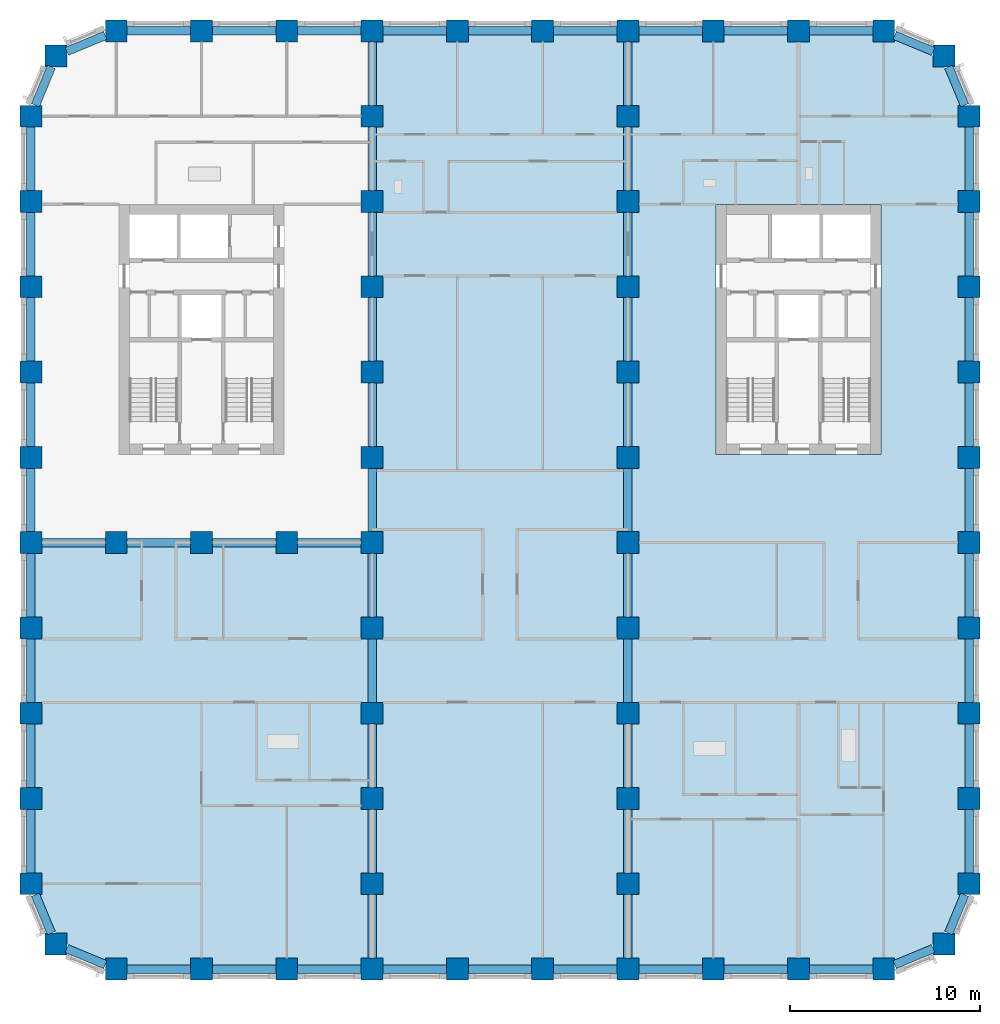
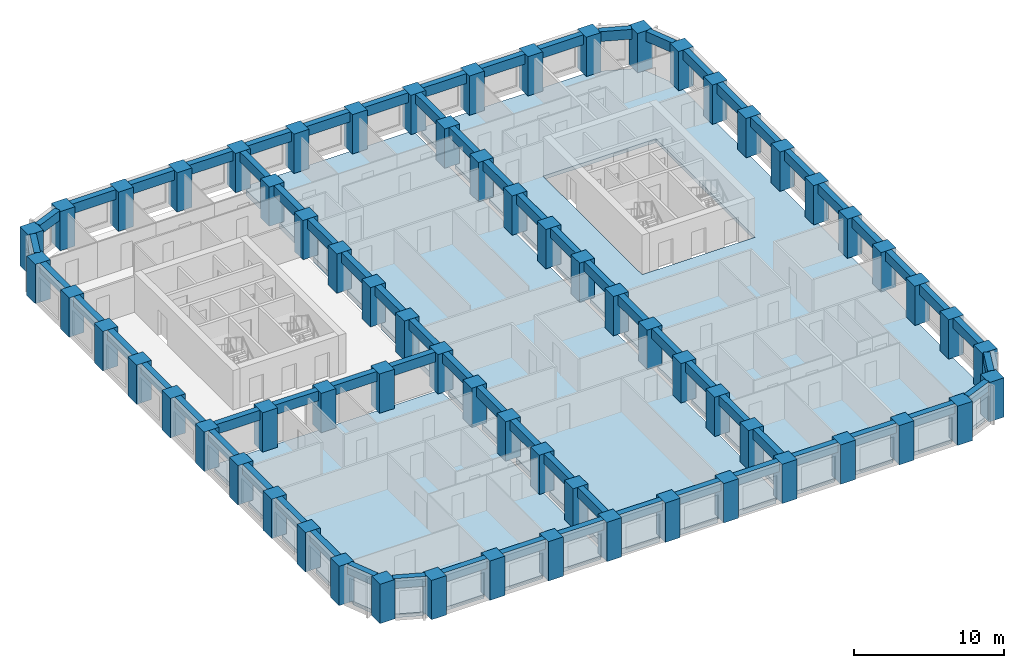
# One storey, part 1 of 13: 70 beams, 67 columns, 3 slabs.
"""IFC4 building model written with IfcOpenShell, lengths in metres."""

from ifc_helpers import new_model, si_unit, direction, frame, origin, origin_2d, place, context, subcontext, project, spatial, polyline, rectangle, outline, extrude, material, layer, layer_set, material_profile, profile_set, type_object, element, save


model = new_model("IFC4")

# Units and contexts
model_context = context("Model", 3, precision=1e-05, world=origin(), true_north=direction((0.0, 1.0)))
body_context = subcontext(model_context, "Body", "Model", "MODEL_VIEW")
ifc_project = project(units=[si_unit("LENGTHUNIT", "METRE"), si_unit("AREAUNIT", "SQUARE_METRE"), si_unit("VOLUMEUNIT", "CUBIC_METRE"), si_unit("PLANEANGLEUNIT", "RADIAN"), si_unit("MASSUNIT", "GRAM", prefix="KILO")], contexts=[model_context])

# Site, building, storey
site_placement = place(None, origin())
site = spatial("IfcSite", under=ifc_project, at=site_placement, CompositionType="ELEMENT")
building_placement = place(site_placement, origin())
building = spatial("IfcBuilding", under=site, at=building_placement, Name="Girih Gate Residences", CompositionType="ELEMENT")
storey_placement = place(building_placement, frame((0.0, 0.0, 96.0)))
storey = spatial("IfcBuildingStorey", under=building, at=storey_placement, Name="L26", CompositionType="ELEMENT", Elevation=96.0)

# Columns
ifc_material_1 = material(Name="Concrete C80/95", Category="concrete")
ifc_material_profile_1 = material_profile(ifc_material_1, rectangle(XDim=1.14990234375, YDim=1.14990234375, at=origin_2d()))
ifc_profile_set_1 = profile_set([ifc_material_profile_1], Name="Concrete C80/95")
column_type = type_object("IfcColumnType", Name="Pier RC 1150x1150 Concrete C80/95", PredefinedType="COLUMN", material=ifc_profile_set_1)
for number, where, z_axis, x_axis, name in (
    (1, (4.5, 0.0, 0.0), (0.0, 0.0, 1.0), (1.0, 0.0, 0.0), "Pier P2A L26"),
    (2, (9.0, 0.0, 0.0), (0.0, 0.0, 1.0), (1.0, 0.0, 0.0), "Pier P3A L26"),
    (3, (13.5, 0.0, 0.0), (0.0, 0.0, 1.0), (1.0, 0.0, 0.0), "Pier P4A L26"),
    (4, (18.0, 0.0, 0.0), (0.0, 0.0, 1.0), (1.0, 0.0, 0.0), "Pier P5A L26"),
    (5, (22.5, 0.0, 0.0), (0.0, 0.0, 1.0), (1.0, 0.0, 0.0), "Pier P6A L26"),
    (6, (27.0, 0.0, 0.0), (0.0, 0.0, 1.0), (1.0, 0.0, 0.0), "Pier P7A L26"),
    (7, (31.5, 0.0, 0.0), (0.0, 0.0, 1.0), (1.0, 0.0, 0.0), "Pier P8A L26"),
    (8, (36.0, 0.0, 0.0), (0.0, 0.0, 1.0), (1.0, 0.0, 0.0), "Pier P9A L26"),
    (9, (40.5, 0.0, 0.0), (0.0, 0.0, 1.0), (1.0, 0.0, 0.0), "Pier P10A L26"),
    (10, (45.0, 0.0, 0.0), (0.0, 0.0, 1.0), (1.0, 0.0, 0.0), "Pier P11A L26"),
    (11, (1.318115234375, 1.318115234375, 0.0), (0.0, 0.0, 1.0), (1.0, 0.0, 0.0), "Pier P1ANE L26"),
    (12, (48.181884765625, 1.318115234375, 0.0), (0.0, 0.0, 1.0), (1.0, 0.0, 0.0), "Pier P12ANW L26"),
    (13, (0.0, 4.5, 0.0), (0.0, 0.0, 1.0), (1.0, 0.0, 0.0), "Pier P1B L26"),
    (14, (18.0, 4.5, 0.0), (0.0, 0.0, 1.0), (1.0, 0.0, 0.0), "Pier P5B L26"),
    (15, (31.5, 4.5, 0.0), (0.0, 0.0, 1.0), (1.0, 0.0, 0.0), "Pier P8B L26"),
    (16, (49.5, 4.5, 0.0), (0.0, 0.0, 1.0), (1.0, 0.0, 0.0), "Pier P12B L26"),
    (17, (0.0, 9.0, 0.0), (0.0, 0.0, 1.0), (1.0, 0.0, 0.0), "Pier P1C L26"),
    (18, (18.0, 9.0, 0.0), (0.0, 0.0, 1.0), (1.0, 0.0, 0.0), "Pier P5C L26"),
    (19, (31.5, 9.0, 0.0), (0.0, 0.0, 1.0), (1.0, 0.0, 0.0), "Pier P8C L26"),
    (20, (49.5, 9.0, 0.0), (0.0, 0.0, 1.0), (1.0, 0.0, 0.0), "Pier P12C L26"),
    (21, (0.0, 13.5, 0.0), (0.0, 0.0, 1.0), (1.0, 0.0, 0.0), "Pier P1D L26"),
    (22, (18.0, 13.5, 0.0), (0.0, 0.0, 1.0), (1.0, 0.0, 0.0), "Pier P5D L26"),
    (23, (31.5, 13.5, 0.0), (0.0, 0.0, 1.0), (1.0, 0.0, 0.0), "Pier P8D L26"),
    (24, (49.5, 13.5, 0.0), (0.0, 0.0, 1.0), (1.0, 0.0, 0.0), "Pier P12D L26"),
    (25, (0.0, 18.0, 0.0), (0.0, 0.0, 1.0), (1.0, 0.0, 0.0), "Pier P1E L26"),
    (26, (18.0, 18.0, 0.0), (0.0, 0.0, 1.0), (1.0, 0.0, 0.0), "Pier P5E L26"),
    (27, (31.5, 18.0, 0.0), (0.0, 0.0, 1.0), (1.0, 0.0, 0.0), "Pier P8E L26"),
    (28, (49.5, 18.0, 0.0), (0.0, 0.0, 1.0), (1.0, 0.0, 0.0), "Pier P12E L26"),
    (29, (0.0, 22.5, 0.0), (0.0, 0.0, 1.0), (1.0, 0.0, 0.0), "Pier P1F L26"),
    (30, (4.5, 22.5, 0.0), (0.0, 0.0, 1.0), (1.0, 0.0, 0.0), "Pier P2F L26"),
    (31, (9.0, 22.5, 0.0), (0.0, 0.0, 1.0), (1.0, 0.0, 0.0), "Pier P3F L26"),
    (32, (13.5, 22.5, 0.0), (0.0, 0.0, 1.0), (1.0, 0.0, 0.0), "Pier P4F L26"),
    (33, (18.0, 22.5, 0.0), (0.0, 0.0, 1.0), (1.0, 0.0, 0.0), "Pier P5F L26"),
    (34, (31.5, 22.5, 0.0), (0.0, 0.0, 1.0), (1.0, 0.0, 0.0), "Pier P8F L26"),
    (35, (49.5, 22.5, 0.0), (0.0, 0.0, 1.0), (1.0, 0.0, 0.0), "Pier P12F L26"),
    (36, (0.0, 27.0, 0.0), (0.0, 0.0, 1.0), (1.0, 0.0, 0.0), "Pier P1G L26"),
    (37, (18.0, 27.0, 0.0), (0.0, 0.0, 1.0), (1.0, 0.0, 0.0), "Pier P5G L26"),
    (38, (31.5, 27.0, 0.0), (0.0, 0.0, 1.0), (1.0, 0.0, 0.0), "Pier P8G L26"),
    (39, (49.5, 27.0, 0.0), (0.0, 0.0, 1.0), (1.0, 0.0, 0.0), "Pier P12G L26"),
    (40, (0.0, 31.5, 0.0), (0.0, 0.0, 1.0), (1.0, 0.0, 0.0), "Pier P1H L26"),
    (41, (18.0, 31.5, 0.0), (0.0, 0.0, 1.0), (1.0, 0.0, 0.0), "Pier P5H L26"),
    (42, (31.5, 31.5, 0.0), (0.0, 0.0, 1.0), (1.0, 0.0, 0.0), "Pier P8H L26"),
    (43, (49.5, 31.5, 0.0), (0.0, 0.0, 1.0), (1.0, 0.0, 0.0), "Pier P12H L26"),
    (44, (0.0, 36.0, 0.0), (0.0, 0.0, 1.0), (1.0, 0.0, 0.0), "Pier P1I L26"),
    (45, (18.0, 36.0, 0.0), (0.0, 0.0, 1.0), (1.0, 0.0, 0.0), "Pier P5I L26"),
    (46, (31.5, 36.0, 0.0), (0.0, 0.0, 1.0), (1.0, 0.0, 0.0), "Pier P8I L26"),
    (47, (49.5, 36.0, 0.0), (0.0, 0.0, 1.0), (1.0, 0.0, 0.0), "Pier P12I L26"),
    (48, (0.0, 40.5, 0.0), (0.0, 0.0, 1.0), (1.0, 0.0, 0.0), "Pier P1J L26"),
    (49, (18.0, 40.5, 0.0), (0.0, 0.0, 1.0), (1.0, 0.0, 0.0), "Pier P5J L26"),
    (50, (31.5, 40.5, 0.0), (0.0, 0.0, 1.0), (1.0, 0.0, 0.0), "Pier P8J L26"),
    (51, (49.5, 40.5, 0.0), (0.0, 0.0, 1.0), (1.0, 0.0, 0.0), "Pier P12J L26"),
    (52, (0.0, 45.0, 0.0), (0.0, 0.0, 1.0), (1.0, 0.0, 0.0), "Pier P1K L26"),
    (53, (18.0, 45.0, 0.0), (0.0, 0.0, 1.0), (1.0, 0.0, 0.0), "Pier P5K L26"),
    (54, (31.5, 45.0, 0.0), (0.0, 0.0, 1.0), (1.0, 0.0, 0.0), "Pier P8K L26"),
    (55, (49.5, 45.0, 0.0), (0.0, 0.0, 1.0), (1.0, 0.0, 0.0), "Pier P12K L26"),
    (56, (1.318115234375, 48.181884765625, 0.0), (0.0, 0.0, 1.0), (1.0, 0.0, 0.0), "Pier P1LSE L26"),
    (57, (48.181884765625, 48.181884765625, 0.0), (0.0, 0.0, 1.0), (1.0, 0.0, 0.0), "Pier P12LSW L26"),
    (58, (4.5, 49.5, 0.0), (0.0, 0.0, 1.0), (1.0, 0.0, 0.0), "Pier P2L L26"),
    (59, (9.0, 49.5, 0.0), (0.0, 0.0, 1.0), (1.0, 0.0, 0.0), "Pier P3L L26"),
    (60, (13.5, 49.5, 0.0), (0.0, 0.0, 1.0), (1.0, 0.0, 0.0), "Pier P4L L26"),
    (61, (18.0, 49.5, 0.0), (0.0, 0.0, 1.0), (1.0, 0.0, 0.0), "Pier P5L L26"),
    (62, (22.5, 49.5, 0.0), (0.0, 0.0, 1.0), (1.0, 0.0, 0.0), "Pier P6L L26"),
    (63, (27.0, 49.5, 0.0), (0.0, 0.0, 1.0), (1.0, 0.0, 0.0), "Pier P7L L26"),
    (64, (31.5, 49.5, 0.0), (0.0, 0.0, 1.0), (1.0, 0.0, 0.0), "Pier P8L L26"),
    (65, (36.0, 49.5, 0.0), (0.0, 0.0, 1.0), (1.0, 0.0, 0.0), "Pier P9L L26"),
    (66, (40.5, 49.5, 0.0), (0.0, 0.0, 1.0), (1.0, 0.0, 0.0), "Pier P10L L26"),
    (67, (45.0, 49.5, 0.0), (0.0, 0.0, 1.0), (1.0, 0.0, 0.0), "Pier P11L L26"),
):
    element("IfcColumn", number, at=place(storey_placement, frame(where, z_axis=z_axis, x_axis=x_axis)), inside=storey, type_object=column_type, Name=name, PredefinedType="COLUMN", context=body_context, shape_type="SweptSolid", body=[
        extrude(rectangle(XDim=1.14990234375, YDim=1.14990234375, at=origin_2d()), origin(), (0.0, 0.0, 1.0), 3.199951171875),
    ])

# Beams
ifc_material_2 = material(Name="Concrete C60/75", Category="concrete")
ifc_material_profile_2 = material_profile(ifc_material_2, rectangle(XDim=0.449951171875, YDim=0.800048828125, at=origin_2d()))
ifc_profile_set_2 = profile_set([ifc_material_profile_2], Name="Concrete C60/75")
beam_type = type_object("IfcBeamType", Name="Spandrel girder RC 450x800 Concrete C60/75", PredefinedType="BEAM", material=ifc_profile_set_2)
for number, where, z_axis, x_axis, name in (
    (68, (0.23828125, 3.925048828125, 2.800048828125), (0.382636106589, -0.92389913407, 0.0), (0.92389913407, 0.382636106589, 0.0), "Spandrel girder SP-P1B-P1ANE L26"),
    (69, (1.89306640625, 1.079833984375, 2.800048828125), (0.92389913407, -0.382636106589, 0.0), (0.382636106589, 0.92389913407, 0.0), "Spandrel girder SP-P1ANE-P2A L26"),
):
    element("IfcBeam", number, at=place(storey_placement, frame(where, z_axis=z_axis, x_axis=x_axis)), inside=storey, type_object=beam_type, Name=name, PredefinedType="BEAM", context=body_context, shape_type="SweptSolid", body=[
        extrude(rectangle(XDim=0.449951171875, YDim=0.800048828125, at=origin_2d()), origin(), (0.0, 0.0, 1.0), 2.199462890625),
    ])
for number, where, z_axis, x_axis, name in (
    (70, (5.074951171875, 0.0, 2.800048828125), (1.0, 0.0, 0.0), (0.0, 1.0, 0.0), "Spandrel girder SP-P2A-P3A L26"),
    (71, (9.574951171875, 0.0, 2.800048828125), (1.0, 0.0, 0.0), (0.0, 1.0, 0.0), "Spandrel girder SP-P3A-P4A L26"),
    (72, (14.074951171875, 0.0, 2.800048828125), (1.0, 0.0, 0.0), (0.0, 1.0, 0.0), "Spandrel girder SP-P4A-P5A L26"),
    (73, (18.574951171875, 0.0, 2.800048828125), (1.0, 0.0, 0.0), (0.0, 1.0, 0.0), "Spandrel girder SP-P5A-P6A L26"),
    (74, (23.074951171875, 0.0, 2.800048828125), (1.0, 0.0, 0.0), (0.0, 1.0, 0.0), "Spandrel girder SP-P6A-P7A L26"),
    (75, (27.574951171875, 0.0, 2.800048828125), (1.0, 0.0, 0.0), (0.0, 1.0, 0.0), "Spandrel girder SP-P7A-P8A L26"),
    (76, (32.074951171875, 0.0, 2.800048828125), (1.0, 0.0, 0.0), (0.0, 1.0, 0.0), "Spandrel girder SP-P8A-P9A L26"),
    (77, (36.574951171875, 0.0, 2.800048828125), (1.0, 0.0, 0.0), (0.0, 1.0, 0.0), "Spandrel girder SP-P9A-P10A L26"),
    (78, (41.074951171875, 0.0, 2.800048828125), (1.0, 0.0, 0.0), (0.0, 1.0, 0.0), "Spandrel girder SP-P10A-P11A L26"),
):
    element("IfcBeam", number, at=place(storey_placement, frame(where, z_axis=z_axis, x_axis=x_axis)), inside=storey, type_object=beam_type, Name=name, PredefinedType="BEAM", context=body_context, shape_type="SweptSolid", body=[
        extrude(rectangle(XDim=0.449951171875, YDim=0.800048828125, at=origin_2d()), origin(), (0.0, 0.0, 1.0), 3.35009765625),
    ])
for number, where, z_axis, x_axis, name in (
    (79, (45.574951171875, 0.23828125, 2.800048828125), (0.92389913407, 0.382636106589, 0.0), (-0.382636106589, 0.92389913407, 0.0), "Spandrel girder SP-P11A-P12ANW L26"),
    (80, (48.420166015625, 1.89306640625, 2.800048828125), (0.382636106589, 0.92389913407, 0.0), (-0.92389913407, 0.382636106589, 0.0), "Spandrel girder SP-P12ANW-P12B L26"),
):
    element("IfcBeam", number, at=place(storey_placement, frame(where, z_axis=z_axis, x_axis=x_axis)), inside=storey, type_object=beam_type, Name=name, PredefinedType="BEAM", context=body_context, shape_type="SweptSolid", body=[
        extrude(rectangle(XDim=0.449951171875, YDim=0.800048828125, at=origin_2d()), origin(), (0.0, 0.0, 1.0), 2.199462890625),
    ])
for number, where, z_axis, x_axis, name in (
    (81, (49.5, 5.074951171875, 2.800048828125), (0.0, 1.0, 0.0), (-1.0, 0.0, 0.0), "Spandrel girder SP-P12B-P12C L26"),
    (82, (49.5, 9.574951171875, 2.800048828125), (0.0, 1.0, 0.0), (-1.0, 0.0, 0.0), "Spandrel girder SP-P12C-P12D L26"),
    (83, (49.5, 14.074951171875, 2.800048828125), (0.0, 1.0, 0.0), (-1.0, 0.0, 0.0), "Spandrel girder SP-P12D-P12E L26"),
    (84, (49.5, 18.574951171875, 2.800048828125), (0.0, 1.0, 0.0), (-1.0, 0.0, 0.0), "Spandrel girder SP-P12E-P12F L26"),
    (85, (49.5, 23.074951171875, 2.800048828125), (0.0, 1.0, 0.0), (-1.0, 0.0, 0.0), "Spandrel girder SP-P12F-P12G L26"),
    (86, (49.5, 27.574951171875, 2.800048828125), (0.0, 1.0, 0.0), (-1.0, 0.0, 0.0), "Spandrel girder SP-P12G-P12H L26"),
    (87, (49.5, 32.074951171875, 2.800048828125), (0.0, 1.0, 0.0), (-1.0, 0.0, 0.0), "Spandrel girder SP-P12H-P12I L26"),
    (88, (49.5, 36.574951171875, 2.800048828125), (0.0, 1.0, 0.0), (-1.0, 0.0, 0.0), "Spandrel girder SP-P12I-P12J L26"),
    (89, (49.5, 41.074951171875, 2.800048828125), (0.0, 1.0, 0.0), (-1.0, 0.0, 0.0), "Spandrel girder SP-P12J-P12K L26"),
):
    element("IfcBeam", number, at=place(storey_placement, frame(where, z_axis=z_axis, x_axis=x_axis)), inside=storey, type_object=beam_type, Name=name, PredefinedType="BEAM", context=body_context, shape_type="SweptSolid", body=[
        extrude(rectangle(XDim=0.449951171875, YDim=0.800048828125, at=origin_2d()), origin(), (0.0, 0.0, 1.0), 3.35009765625),
    ])
for number, where, z_axis, x_axis, name in (
    (90, (49.26171875, 45.574951171875, 2.800048828125), (-0.382636106589, 0.92389913407, 0.0), (-0.92389913407, -0.382636106589, 0.0), "Spandrel girder SP-P12K-P12LSW L26"),
    (91, (47.60693359375, 48.420166015625, 2.800048828125), (-0.92389913407, 0.382636106589, 0.0), (-0.382636106589, -0.92389913407, 0.0), "Spandrel girder SP-P12LSW-P11L L26"),
):
    element("IfcBeam", number, at=place(storey_placement, frame(where, z_axis=z_axis, x_axis=x_axis)), inside=storey, type_object=beam_type, Name=name, PredefinedType="BEAM", context=body_context, shape_type="SweptSolid", body=[
        extrude(rectangle(XDim=0.449951171875, YDim=0.800048828125, at=origin_2d()), origin(), (0.0, 0.0, 1.0), 2.199462890625),
    ])
for number, where, z_axis, x_axis, name in (
    (92, (44.425048828125, 49.5, 2.800048828125), (-1.0, 0.0, 0.0), (0.0, -1.0, 0.0), "Spandrel girder SP-P11L-P10L L26"),
    (93, (39.925048828125, 49.5, 2.800048828125), (-1.0, 0.0, 0.0), (0.0, -1.0, 0.0), "Spandrel girder SP-P10L-P9L L26"),
    (94, (35.425048828125, 49.5, 2.800048828125), (-1.0, 0.0, 0.0), (0.0, -1.0, 0.0), "Spandrel girder SP-P9L-P8L L26"),
    (95, (30.925048828125, 49.5, 2.800048828125), (-1.0, 0.0, 0.0), (0.0, -1.0, 0.0), "Spandrel girder SP-P8L-P7L L26"),
    (96, (26.425048828125, 49.5, 2.800048828125), (-1.0, 0.0, 0.0), (0.0, -1.0, 0.0), "Spandrel girder SP-P7L-P6L L26"),
    (97, (21.925048828125, 49.5, 2.800048828125), (-1.0, 0.0, 0.0), (0.0, -1.0, 0.0), "Spandrel girder SP-P6L-P5L L26"),
    (98, (17.425048828125, 49.5, 2.800048828125), (-1.0, 0.0, 0.0), (0.0, -1.0, 0.0), "Spandrel girder SP-P5L-P4L L26"),
    (99, (12.925048828125, 49.5, 2.800048828125), (-1.0, 0.0, 0.0), (0.0, -1.0, 0.0), "Spandrel girder SP-P4L-P3L L26"),
    (100, (8.425048828125, 49.5, 2.800048828125), (-1.0, 0.0, 0.0), (0.0, -1.0, 0.0), "Spandrel girder SP-P3L-P2L L26"),
):
    element("IfcBeam", number, at=place(storey_placement, frame(where, z_axis=z_axis, x_axis=x_axis)), inside=storey, type_object=beam_type, Name=name, PredefinedType="BEAM", context=body_context, shape_type="SweptSolid", body=[
        extrude(rectangle(XDim=0.449951171875, YDim=0.800048828125, at=origin_2d()), origin(), (0.0, 0.0, 1.0), 3.35009765625),
    ])
for number, where, z_axis, x_axis, name in (
    (101, (3.925048828125, 49.26171875, 2.800048828125), (-0.92389913407, -0.382636106589, 0.0), (0.382636106589, -0.92389913407, 0.0), "Spandrel girder SP-P2L-P1LSE L26"),
    (102, (1.079833984375, 47.60693359375, 2.800048828125), (-0.382636106589, -0.92389913407, 0.0), (0.92389913407, -0.382636106589, 0.0), "Spandrel girder SP-P1LSE-P1K L26"),
):
    element("IfcBeam", number, at=place(storey_placement, frame(where, z_axis=z_axis, x_axis=x_axis)), inside=storey, type_object=beam_type, Name=name, PredefinedType="BEAM", context=body_context, shape_type="SweptSolid", body=[
        extrude(rectangle(XDim=0.449951171875, YDim=0.800048828125, at=origin_2d()), origin(), (0.0, 0.0, 1.0), 2.199462890625),
    ])
for number, where, z_axis, x_axis, name in (
    (103, (0.0, 44.425048828125, 2.800048828125), (0.0, -1.0, 0.0), (1.0, 0.0, 0.0), "Spandrel girder SP-P1K-P1J L26"),
    (104, (0.0, 39.925048828125, 2.800048828125), (0.0, -1.0, 0.0), (1.0, 0.0, 0.0), "Spandrel girder SP-P1J-P1I L26"),
    (105, (0.0, 35.425048828125, 2.800048828125), (0.0, -1.0, 0.0), (1.0, 0.0, 0.0), "Spandrel girder SP-P1I-P1H L26"),
    (106, (0.0, 30.925048828125, 2.800048828125), (0.0, -1.0, 0.0), (1.0, 0.0, 0.0), "Spandrel girder SP-P1H-P1G L26"),
    (107, (0.0, 26.425048828125, 2.800048828125), (0.0, -1.0, 0.0), (1.0, 0.0, 0.0), "Spandrel girder SP-P1G-P1F L26"),
    (108, (0.0, 21.925048828125, 2.800048828125), (0.0, -1.0, 0.0), (1.0, 0.0, 0.0), "Spandrel girder SP-P1F-P1E L26"),
    (109, (0.0, 17.425048828125, 2.800048828125), (0.0, -1.0, 0.0), (1.0, 0.0, 0.0), "Spandrel girder SP-P1E-P1D L26"),
    (110, (0.0, 12.925048828125, 2.800048828125), (0.0, -1.0, 0.0), (1.0, 0.0, 0.0), "Spandrel girder SP-P1D-P1C L26"),
    (111, (0.0, 8.425048828125, 2.800048828125), (0.0, -1.0, 0.0), (1.0, 0.0, 0.0), "Spandrel girder SP-P1C-P1B L26"),
    (112, (18.0, 0.574951171875, 2.800048828125), (0.0, 1.0, 0.0), (-1.0, 0.0, 0.0), "Spandrel girder SP-P5A-P5B L26"),
    (113, (18.0, 5.074951171875, 2.800048828125), (0.0, 1.0, 0.0), (-1.0, 0.0, 0.0), "Spandrel girder SP-P5B-P5C L26"),
    (114, (18.0, 9.574951171875, 2.800048828125), (0.0, 1.0, 0.0), (-1.0, 0.0, 0.0), "Spandrel girder SP-P5C-P5D L26"),
    (115, (18.0, 14.074951171875, 2.800048828125), (0.0, 1.0, 0.0), (-1.0, 0.0, 0.0), "Spandrel girder SP-P5D-P5E L26"),
    (116, (18.0, 18.574951171875, 2.800048828125), (0.0, 1.0, 0.0), (-1.0, 0.0, 0.0), "Spandrel girder SP-P5E-P5F L26"),
    (117, (18.0, 23.074951171875, 2.800048828125), (0.0, 1.0, 0.0), (-1.0, 0.0, 0.0), "Spandrel girder SP-P5F-P5G L26"),
    (118, (18.0, 27.574951171875, 2.800048828125), (0.0, 1.0, 0.0), (-1.0, 0.0, 0.0), "Spandrel girder SP-P5G-P5H L26"),
    (119, (18.0, 32.074951171875, 2.800048828125), (0.0, 1.0, 0.0), (-1.0, 0.0, 0.0), "Spandrel girder SP-P5H-P5I L26"),
    (120, (18.0, 36.574951171875, 2.800048828125), (0.0, 1.0, 0.0), (-1.0, 0.0, 0.0), "Spandrel girder SP-P5I-P5J L26"),
    (121, (18.0, 41.074951171875, 2.800048828125), (0.0, 1.0, 0.0), (-1.0, 0.0, 0.0), "Spandrel girder SP-P5J-P5K L26"),
    (122, (18.0, 45.574951171875, 2.800048828125), (0.0, 1.0, 0.0), (-1.0, 0.0, 0.0), "Spandrel girder SP-P5K-P5L L26"),
    (123, (31.5, 0.574951171875, 2.800048828125), (0.0, 1.0, 0.0), (-1.0, 0.0, 0.0), "Spandrel girder SP-P8A-P8B L26"),
    (124, (31.5, 5.074951171875, 2.800048828125), (0.0, 1.0, 0.0), (-1.0, 0.0, 0.0), "Spandrel girder SP-P8B-P8C L26"),
    (125, (31.5, 9.574951171875, 2.800048828125), (0.0, 1.0, 0.0), (-1.0, 0.0, 0.0), "Spandrel girder SP-P8C-P8D L26"),
    (126, (31.5, 14.074951171875, 2.800048828125), (0.0, 1.0, 0.0), (-1.0, 0.0, 0.0), "Spandrel girder SP-P8D-P8E L26"),
    (127, (31.5, 18.574951171875, 2.800048828125), (0.0, 1.0, 0.0), (-1.0, 0.0, 0.0), "Spandrel girder SP-P8E-P8F L26"),
    (128, (31.5, 23.074951171875, 2.800048828125), (0.0, 1.0, 0.0), (-1.0, 0.0, 0.0), "Spandrel girder SP-P8F-P8G L26"),
    (129, (31.5, 27.574951171875, 2.800048828125), (0.0, 1.0, 0.0), (-1.0, 0.0, 0.0), "Spandrel girder SP-P8G-P8H L26"),
    (130, (31.5, 32.074951171875, 2.800048828125), (0.0, 1.0, 0.0), (-1.0, 0.0, 0.0), "Spandrel girder SP-P8H-P8I L26"),
    (131, (31.5, 36.574951171875, 2.800048828125), (0.0, 1.0, 0.0), (-1.0, 0.0, 0.0), "Spandrel girder SP-P8I-P8J L26"),
    (132, (31.5, 41.074951171875, 2.800048828125), (0.0, 1.0, 0.0), (-1.0, 0.0, 0.0), "Spandrel girder SP-P8J-P8K L26"),
    (133, (31.5, 45.574951171875, 2.800048828125), (0.0, 1.0, 0.0), (-1.0, 0.0, 0.0), "Spandrel girder SP-P8K-P8L L26"),
    (134, (0.574951171875, 22.5, 2.800048828125), (1.0, 0.0, 0.0), (0.0, 1.0, 0.0), "Spandrel girder SP-P1F-P2F L26"),
    (135, (5.074951171875, 22.5, 2.800048828125), (1.0, 0.0, 0.0), (0.0, 1.0, 0.0), "Spandrel girder SP-P2F-P3F L26"),
    (136, (9.574951171875, 22.5, 2.800048828125), (1.0, 0.0, 0.0), (0.0, 1.0, 0.0), "Spandrel girder SP-P3F-P4F L26"),
    (137, (14.074951171875, 22.5, 2.800048828125), (1.0, 0.0, 0.0), (0.0, 1.0, 0.0), "Spandrel girder SP-P4F-P5F L26"),
):
    element("IfcBeam", number, at=place(storey_placement, frame(where, z_axis=z_axis, x_axis=x_axis)), inside=storey, type_object=beam_type, Name=name, PredefinedType="BEAM", context=body_context, shape_type="SweptSolid", body=[
        extrude(rectangle(XDim=0.449951171875, YDim=0.800048828125, at=origin_2d()), origin(), (0.0, 0.0, 1.0), 3.35009765625),
    ])

# Slabs
ifc_material_3 = material(Name="Concrete C40/50", Category="concrete")
ifc_layer_1 = layer(ifc_material_3, 0.300048828125)
ifc_layer_set_1 = layer_set([ifc_layer_1], Name="Floor slab PT 300 Concrete C40/50")
slab_type_1 = type_object("IfcSlabType", Name="Floor slab PT 300 Concrete C40/50", PredefinedType="FLOOR", material=ifc_layer_set_1)
slab_1_placement = place(storey_placement, frame((0.0, 0.0, -0.300048828125)))
element("IfcSlab", 138, at=slab_1_placement, inside=storey, type_object=slab_type_1, Name="Floor slab L26 0", PredefinedType="FLOOR", context=body_context, shape_type="SweptSolid", body=[
    extrude(outline(polyline([(0.22509765625, 8.425048828125), (0.22509765625, 5.074951171875), (0.574951171875, 5.074951171875), (0.574951171875, 3.925048828125), (0.481689453125, 3.925048828125), (1.323486328125, 1.89306640625), (1.89306640625, 1.89306640625), (1.89306640625, 1.323486328125), (3.925048828125, 0.481689453125), (3.925048828125, 0.574951171875), (5.074951171875, 0.574951171875), (5.074951171875, 0.22509765625), (8.425048828125, 0.22509765625), (8.425048828125, 0.574951171875), (9.574951171875, 0.574951171875), (9.574951171875, 0.22509765625), (12.925048828125, 0.22509765625), (12.925048828125, 0.574951171875), (14.074951171875, 0.574951171875), (14.074951171875, 0.22509765625), (17.425048828125, 0.22509765625), (17.425048828125, 0.574951171875), (17.77490234375, 0.574951171875), (17.77490234375, 3.925048828125), (17.425048828125, 3.925048828125), (17.425048828125, 5.074951171875), (17.77490234375, 5.074951171875), (17.77490234375, 8.425048828125), (17.425048828125, 8.425048828125), (17.425048828125, 9.574951171875), (17.77490234375, 9.574951171875), (17.77490234375, 12.925048828125), (17.425048828125, 12.925048828125), (17.425048828125, 14.074951171875), (17.77490234375, 14.074951171875), (17.77490234375, 17.425048828125), (17.425048828125, 17.425048828125), (17.425048828125, 18.574951171875), (17.77490234375, 18.574951171875), (17.77490234375, 21.925048828125), (17.425048828125, 21.925048828125), (17.425048828125, 22.27490234375), (14.074951171875, 22.27490234375), (14.074951171875, 21.925048828125), (12.925048828125, 21.925048828125), (12.925048828125, 22.27490234375), (9.574951171875, 22.27490234375), (9.574951171875, 21.925048828125), (8.425048828125, 21.925048828125), (8.425048828125, 22.27490234375), (5.074951171875, 22.27490234375), (5.074951171875, 21.925048828125), (3.925048828125, 21.925048828125), (3.925048828125, 22.27490234375), (0.574951171875, 22.27490234375), (0.574951171875, 21.925048828125), (0.22509765625, 21.925048828125), (0.22509765625, 18.574951171875), (0.574951171875, 18.574951171875), (0.574951171875, 17.425048828125), (0.22509765625, 17.425048828125), (0.22509765625, 14.074951171875), (0.574951171875, 14.074951171875), (0.574951171875, 12.925048828125), (0.22509765625, 12.925048828125), (0.22509765625, 9.574951171875), (0.574951171875, 9.574951171875), (0.574951171875, 8.425048828125), (0.22509765625, 8.425048828125)])), origin(), (0.0, 0.0, 1.0), 0.300048828125),
])
slab_2_placement = place(storey_placement, frame((0.0, 0.0, -0.300048828125)))
element("IfcSlab", 139, at=slab_2_placement, inside=storey, type_object=slab_type_1, Name="Floor slab L26 1", PredefinedType="FLOOR", context=body_context, shape_type="SweptSolid", body=[
    extrude(outline(polyline([(35.425048828125, 49.27490234375), (32.074951171875, 49.27490234375), (32.074951171875, 48.925048828125), (31.72509765625, 48.925048828125), (31.72509765625, 45.574951171875), (32.074951171875, 45.574951171875), (32.074951171875, 44.425048828125), (31.72509765625, 44.425048828125), (31.72509765625, 41.074951171875), (32.074951171875, 41.074951171875), (32.074951171875, 39.925048828125), (31.72509765625, 39.925048828125), (31.72509765625, 36.574951171875), (32.074951171875, 36.574951171875), (32.074951171875, 35.425048828125), (31.72509765625, 35.425048828125), (31.72509765625, 32.074951171875), (32.074951171875, 32.074951171875), (32.074951171875, 30.925048828125), (31.72509765625, 30.925048828125), (31.72509765625, 27.574951171875), (32.074951171875, 27.574951171875), (32.074951171875, 26.425048828125), (31.72509765625, 26.425048828125), (31.72509765625, 23.074951171875), (32.074951171875, 23.074951171875), (32.074951171875, 21.925048828125), (31.72509765625, 21.925048828125), (31.72509765625, 18.574951171875), (32.074951171875, 18.574951171875), (32.074951171875, 17.425048828125), (31.72509765625, 17.425048828125), (31.72509765625, 14.074951171875), (32.074951171875, 14.074951171875), (32.074951171875, 12.925048828125), (31.72509765625, 12.925048828125), (31.72509765625, 9.574951171875), (32.074951171875, 9.574951171875), (32.074951171875, 8.425048828125), (31.72509765625, 8.425048828125), (31.72509765625, 5.074951171875), (32.074951171875, 5.074951171875), (32.074951171875, 3.925048828125), (31.72509765625, 3.925048828125), (31.72509765625, 0.574951171875), (32.074951171875, 0.574951171875), (32.074951171875, 0.22509765625), (35.425048828125, 0.22509765625), (35.425048828125, 0.574951171875), (36.574951171875, 0.574951171875), (36.574951171875, 0.22509765625), (39.925048828125, 0.22509765625), (39.925048828125, 0.574951171875), (41.074951171875, 0.574951171875), (41.074951171875, 0.22509765625), (44.425048828125, 0.22509765625), (44.425048828125, 0.574951171875), (45.574951171875, 0.574951171875), (45.574951171875, 0.481689453125), (47.60693359375, 1.323486328125), (47.60693359375, 1.89306640625), (48.176513671875, 1.89306640625), (49.018310546875, 3.925048828125), (48.925048828125, 3.925048828125), (48.925048828125, 5.074951171875), (49.27490234375, 5.074951171875), (49.27490234375, 8.425048828125), (48.925048828125, 8.425048828125), (48.925048828125, 9.574951171875), (49.27490234375, 9.574951171875), (49.27490234375, 12.925048828125), (48.925048828125, 12.925048828125), (48.925048828125, 14.074951171875), (49.27490234375, 14.074951171875), (49.27490234375, 17.425048828125), (48.925048828125, 17.425048828125), (48.925048828125, 18.574951171875), (49.27490234375, 18.574951171875), (49.27490234375, 21.925048828125), (48.925048828125, 21.925048828125), (48.925048828125, 23.074951171875), (49.27490234375, 23.074951171875), (49.27490234375, 26.425048828125), (48.925048828125, 26.425048828125), (48.925048828125, 27.574951171875), (49.27490234375, 27.574951171875), (49.27490234375, 30.925048828125), (48.925048828125, 30.925048828125), (48.925048828125, 32.074951171875), (49.27490234375, 32.074951171875), (49.27490234375, 35.425048828125), (48.925048828125, 35.425048828125), (48.925048828125, 36.574951171875), (49.27490234375, 36.574951171875), (49.27490234375, 39.925048828125), (48.925048828125, 39.925048828125), (48.925048828125, 41.074951171875), (49.27490234375, 41.074951171875), (49.27490234375, 44.425048828125), (48.925048828125, 44.425048828125), (48.925048828125, 45.574951171875), (49.018310546875, 45.574951171875), (48.176513671875, 47.60693359375), (47.60693359375, 47.60693359375), (47.60693359375, 48.176513671875), (45.574951171875, 49.018310546875), (45.574951171875, 48.925048828125), (44.425048828125, 48.925048828125), (44.425048828125, 49.27490234375), (41.074951171875, 49.27490234375), (41.074951171875, 48.925048828125), (39.925048828125, 48.925048828125), (39.925048828125, 49.27490234375), (36.574951171875, 49.27490234375), (36.574951171875, 48.925048828125), (35.425048828125, 48.925048828125), (35.425048828125, 49.27490234375)]), holes=[polyline([(44.85009765625, 40.35009765625), (44.85009765625, 27.14990234375), (36.14990234375, 27.14990234375), (36.14990234375, 40.35009765625), (44.85009765625, 40.35009765625)])]), origin(), (0.0, 0.0, 1.0), 0.300048828125),
])
ifc_layer_2 = layer(ifc_material_3, 0.449951171875)
ifc_layer_set_2 = layer_set([ifc_layer_2], Name="Floor slab PT 450 Concrete C40/50")
slab_type_2 = type_object("IfcSlabType", Name="Floor slab PT 450 Concrete C40/50", PredefinedType="FLOOR", material=ifc_layer_set_2)
slab_3_placement = place(storey_placement, frame((0.0, 0.0, -0.449951171875)))
element("IfcSlab", 140, at=slab_3_placement, inside=storey, type_object=slab_type_2, Name="Floor slab L26 2", PredefinedType="FLOOR", context=body_context, shape_type="SweptSolid", body=[
    extrude(outline(polyline([(21.925048828125, 49.27490234375), (18.574951171875, 49.27490234375), (18.574951171875, 48.925048828125), (18.22509765625, 48.925048828125), (18.22509765625, 45.574951171875), (18.574951171875, 45.574951171875), (18.574951171875, 44.425048828125), (18.22509765625, 44.425048828125), (18.22509765625, 41.074951171875), (18.574951171875, 41.074951171875), (18.574951171875, 39.925048828125), (18.22509765625, 39.925048828125), (18.22509765625, 36.574951171875), (18.574951171875, 36.574951171875), (18.574951171875, 35.425048828125), (18.22509765625, 35.425048828125), (18.22509765625, 32.074951171875), (18.574951171875, 32.074951171875), (18.574951171875, 30.925048828125), (18.22509765625, 30.925048828125), (18.22509765625, 27.574951171875), (18.574951171875, 27.574951171875), (18.574951171875, 26.425048828125), (18.22509765625, 26.425048828125), (18.22509765625, 23.074951171875), (18.574951171875, 23.074951171875), (18.574951171875, 21.925048828125), (18.22509765625, 21.925048828125), (18.22509765625, 18.574951171875), (18.574951171875, 18.574951171875), (18.574951171875, 17.425048828125), (18.22509765625, 17.425048828125), (18.22509765625, 14.074951171875), (18.574951171875, 14.074951171875), (18.574951171875, 12.925048828125), (18.22509765625, 12.925048828125), (18.22509765625, 9.574951171875), (18.574951171875, 9.574951171875), (18.574951171875, 8.425048828125), (18.22509765625, 8.425048828125), (18.22509765625, 5.074951171875), (18.574951171875, 5.074951171875), (18.574951171875, 3.925048828125), (18.22509765625, 3.925048828125), (18.22509765625, 0.574951171875), (18.574951171875, 0.574951171875), (18.574951171875, 0.22509765625), (21.925048828125, 0.22509765625), (21.925048828125, 0.574951171875), (23.074951171875, 0.574951171875), (23.074951171875, 0.22509765625), (26.425048828125, 0.22509765625), (26.425048828125, 0.574951171875), (27.574951171875, 0.574951171875), (27.574951171875, 0.22509765625), (30.925048828125, 0.22509765625), (30.925048828125, 0.574951171875), (31.27490234375, 0.574951171875), (31.27490234375, 3.925048828125), (30.925048828125, 3.925048828125), (30.925048828125, 5.074951171875), (31.27490234375, 5.074951171875), (31.27490234375, 8.425048828125), (30.925048828125, 8.425048828125), (30.925048828125, 9.574951171875), (31.27490234375, 9.574951171875), (31.27490234375, 12.925048828125), (30.925048828125, 12.925048828125), (30.925048828125, 14.074951171875), (31.27490234375, 14.074951171875), (31.27490234375, 17.425048828125), (30.925048828125, 17.425048828125), (30.925048828125, 18.574951171875), (31.27490234375, 18.574951171875), (31.27490234375, 21.925048828125), (30.925048828125, 21.925048828125), (30.925048828125, 23.074951171875), (31.27490234375, 23.074951171875), (31.27490234375, 26.425048828125), (30.925048828125, 26.425048828125), (30.925048828125, 27.574951171875), (31.27490234375, 27.574951171875), (31.27490234375, 30.925048828125), (30.925048828125, 30.925048828125), (30.925048828125, 32.074951171875), (31.27490234375, 32.074951171875), (31.27490234375, 35.425048828125), (30.925048828125, 35.425048828125), (30.925048828125, 36.574951171875), (31.27490234375, 36.574951171875), (31.27490234375, 39.925048828125), (30.925048828125, 39.925048828125), (30.925048828125, 41.074951171875), (31.27490234375, 41.074951171875), (31.27490234375, 44.425048828125), (30.925048828125, 44.425048828125), (30.925048828125, 45.574951171875), (31.27490234375, 45.574951171875), (31.27490234375, 48.925048828125), (30.925048828125, 48.925048828125), (30.925048828125, 49.27490234375), (27.574951171875, 49.27490234375), (27.574951171875, 48.925048828125), (26.425048828125, 48.925048828125), (26.425048828125, 49.27490234375), (23.074951171875, 49.27490234375), (23.074951171875, 48.925048828125), (21.925048828125, 48.925048828125), (21.925048828125, 49.27490234375)])), origin(), (0.0, 0.0, 1.0), 0.449951171875),
])

save(model, "model.ifc")
